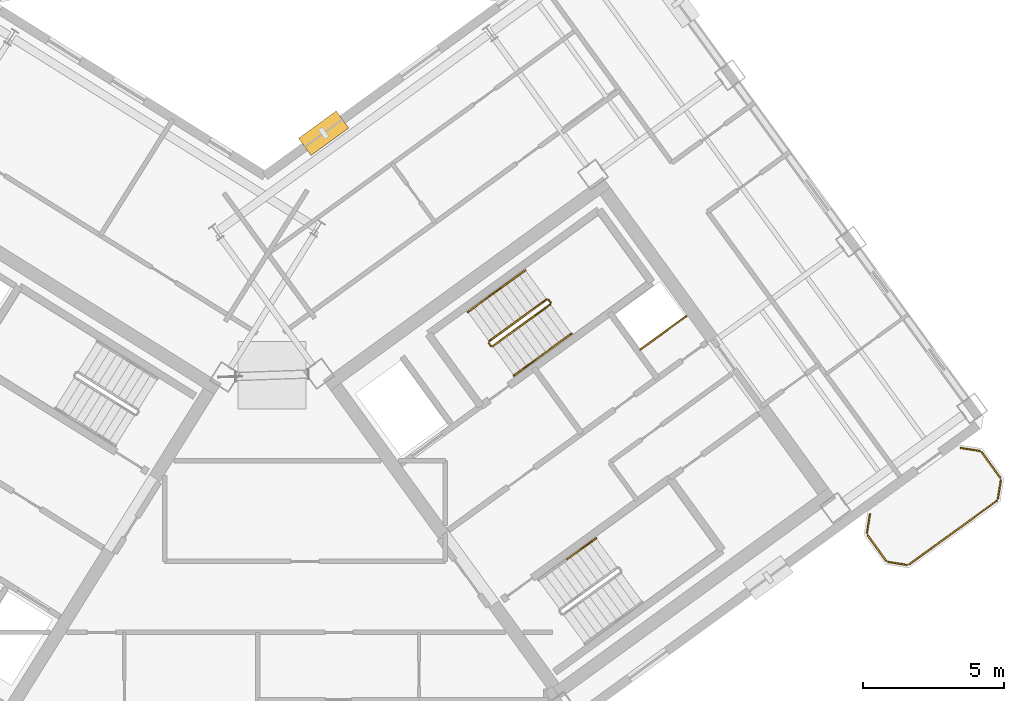
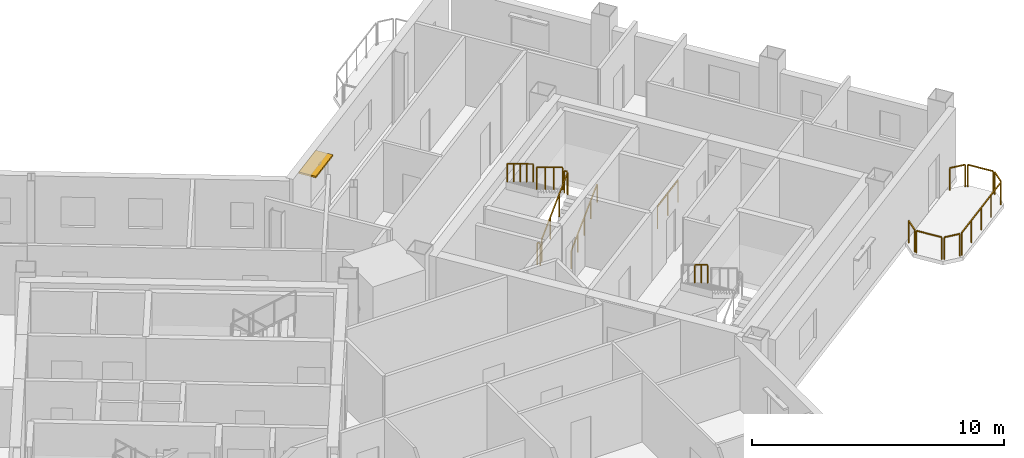
# One storey, part 22 of 23: 17 railings, 1 shading device.
"""IFC4 building model written with IfcOpenShell, lengths in metres."""

import ifcopenshell
import ifcopenshell.guid

model = None  # the IFC model being written
_history = None  # IfcOwnerHistory: only IFC2X3 demands one
_inside = {}  # id of a spatial element -> (the spatial element, [elements in it])
_under = {}  # id of a project, library or spatial element -> (it, [spatial elements below it])
_declared = {}  # id of a project -> (the project, [libraries it declares])
_typed = {}  # id of a type object -> (the type object, [elements of that type])
_made_of = {}  # id of a material, layer set ... -> (it, [elements and type objects made of it])


def new_model(schema):
    """Start an empty IFC model of exactly this schema.

    Asked for "IFC4X3", IfcOpenShell would pick the latest addendum, in which some entities
    have other attributes; the version numbers below select the first issue.
    IFC2X3 requires an IfcOwnerHistory on every rooted entity: one is made here for all.
    """
    global model, _history
    if schema == "IFC4X3":
        model = ifcopenshell.file(schema_version=(4, 3, 0, 0))
    else:
        model = ifcopenshell.file(schema=schema)
    _inside.clear()
    _under.clear()
    _declared.clear()
    _typed.clear()
    _made_of.clear()
    _history = None
    if model.schema == "IFC2X3":
        org = make("IfcOrganization", Name="unknown")
        user = make(
            "IfcPersonAndOrganization",
            ThePerson=make("IfcPerson", FamilyName="unknown"),
            TheOrganization=org,
        )
        app = make(
            "IfcApplication",
            ApplicationDeveloper=org,
            Version="unknown",
            ApplicationFullName="unknown",
            ApplicationIdentifier="unknown",
        )
        _history = make(
            "IfcOwnerHistory",
            OwningUser=user,
            OwningApplication=app,
            ChangeAction="ADDED",
            CreationDate=0,
        )
    return model


def make(cls, **values):
    """One entity of the class cls with the attributes given. An attribute that is None is left unset."""
    return model.create_entity(
        cls, **{name: value for name, value in values.items() if value is not None}
    )


def rooted(cls, **values):
    """An entity with a GlobalId (a new one), such as an element, a storey or a relation."""
    return make(cls, GlobalId=ifcopenshell.guid.new(), OwnerHistory=_history, **values)


def si_unit(unit_type, name, prefix=None):
    """IfcSIUnit, for example si_unit("LENGTHUNIT", "METRE", prefix="MILLI")."""
    return make("IfcSIUnit", UnitType=unit_type, Prefix=prefix, Name=name)


def assignment(units):
    """IfcUnitAssignment: the units of a project."""
    return None if units is None else make("IfcUnitAssignment", Units=units)


def point(xyz):
    """IfcCartesianPoint."""
    return None if xyz is None else make("IfcCartesianPoint", Coordinates=xyz)


def direction(xyz):
    """IfcDirection."""
    return None if xyz is None else make("IfcDirection", DirectionRatios=xyz)


def frame(location, z_axis=None, x_axis=None):
    """IfcAxis2Placement3D, a coordinate frame: its origin and axes. An axis left out is left unset."""
    return make(
        "IfcAxis2Placement3D",
        Location=point(location),
        Axis=direction(z_axis),
        RefDirection=direction(x_axis),
    )


def frame_2d(location, x_axis=None):
    """IfcAxis2Placement2D, a coordinate frame in the plane: its origin and x axis."""
    return make(
        "IfcAxis2Placement2D", Location=point(location), RefDirection=direction(x_axis)
    )


def origin():
    """The frame at (0, 0, 0) with its axes left unset."""
    return frame((0.0, 0.0, 0.0))


def origin_2d():
    """The frame at (0, 0) in the plane with its x axis left unset."""
    return frame_2d((0.0, 0.0))


def place(relative_to, where):
    """IfcLocalPlacement: puts the frame where relative to a parent placement (None: the world)."""
    return make(
        "IfcLocalPlacement", PlacementRelTo=relative_to, RelativePlacement=where
    )


def context(
    kind, dimensions, precision=None, world=None, true_north=None, identifier=None
):
    """IfcGeometricRepresentationContext, for example the 3D "Model" context."""
    return make(
        "IfcGeometricRepresentationContext",
        ContextIdentifier=identifier,
        ContextType=kind,
        CoordinateSpaceDimension=dimensions,
        Precision=precision,
        WorldCoordinateSystem=world,
        TrueNorth=true_north,
    )


def subcontext(parent, identifier, kind, view, scale=None):
    """IfcGeometricRepresentationSubContext, for example "Body" below "Model"."""
    return make(
        "IfcGeometricRepresentationSubContext",
        ContextIdentifier=identifier,
        ContextType=kind,
        ParentContext=parent,
        TargetScale=scale,
        TargetView=view,
    )


def project(units=None, contexts=None):
    """IfcProject with its units and contexts."""
    return rooted(
        "IfcProject",
        Name="project",
        RepresentationContexts=contexts,
        UnitsInContext=assignment(units),
    )


def spatial(cls, under=None, at=None, **own):
    """A site, building, storey or space (cls), placed at a placement, below another one or the project."""
    s = rooted(cls, ObjectPlacement=at, **own)
    if under is not None:
        _under.setdefault(under.id(), (under, []))[1].append(s)
    return s


def profile(cls, at=None, kind="AREA", **sizes):
    """A parametric profile (cls). Its sizes go by their IFC names, for example OverallWidth=200.0."""
    return make(cls, ProfileType=kind, Position=at, **sizes)


def rectangle(**sizes):
    """IfcRectangleProfileDef."""
    return profile("IfcRectangleProfileDef", **sizes)


def extrude(swept, where, along, depth):
    """IfcExtrudedAreaSolid: the profile swept, set in the frame where, extruded along a direction by depth."""
    return make(
        "IfcExtrudedAreaSolid",
        SweptArea=swept,
        Position=where,
        ExtrudedDirection=direction(along),
        Depth=depth,
    )


def shape(context_of_items, identifier, shape_type, items):
    """IfcShapeRepresentation: the items that make up one representation, for example the "Body"."""
    return make(
        "IfcShapeRepresentation",
        ContextOfItems=context_of_items,
        RepresentationIdentifier=identifier,
        RepresentationType=shape_type,
        Items=items,
    )


def source(mapping_origin, context_of_items, identifier, shape_type, items):
    """IfcRepresentationMap: a shape defined once, which mapped items show again and again."""
    return make(
        "IfcRepresentationMap",
        MappingOrigin=mapping_origin,
        MappedRepresentation=shape(context_of_items, identifier, shape_type, items),
    )


def transform(
    local_origin,
    x_axis=None,
    y_axis=None,
    z_axis=None,
    scale=None,
    scale2=None,
    scale3=None,
    uniform=True,
):
    """IfcCartesianTransformationOperator3D, or its non-uniform kind. x_axis, y_axis, z_axis: its Axis1, 2, 3."""
    if uniform:
        return make(
            "IfcCartesianTransformationOperator3D",
            Axis1=direction(x_axis),
            Axis2=direction(y_axis),
            LocalOrigin=point(local_origin),
            Scale=scale,
            Axis3=direction(z_axis),
        )
    return make(
        "IfcCartesianTransformationOperator3DnonUniform",
        Axis1=direction(x_axis),
        Axis2=direction(y_axis),
        LocalOrigin=point(local_origin),
        Scale=scale,
        Axis3=direction(z_axis),
        Scale2=scale2,
        Scale3=scale3,
    )


def mapped(mapping_source, mapping_target):
    """IfcMappedItem: shows the shape of a source again, moved by a transform."""
    return make(
        "IfcMappedItem", MappingSource=mapping_source, MappingTarget=mapping_target
    )


def material(Name=None, Category=None):
    """IfcMaterial."""
    return make("IfcMaterial", Name=Name, Category=Category)


def layer(
    of_material, thickness, ventilated=None, Name=None, Category=None, Priority=None
):
    """IfcMaterialLayer: one layer of a wall or slab, of a material (None: an air gap)."""
    return make(
        "IfcMaterialLayer",
        Material=of_material,
        LayerThickness=thickness,
        IsVentilated=ventilated,
        Name=Name,
        Category=Category,
        Priority=Priority,
    )


def layer_set(layers, Name=None):
    """IfcMaterialLayerSet."""
    return make("IfcMaterialLayerSet", MaterialLayers=layers, LayerSetName=Name)


def made_of(thing, what):
    """Note that an element or type object is made of a material, layer set ...; save() writes the relation."""
    if what is not None:
        _made_of.setdefault(what.id(), (what, []))[1].append(thing)
    return thing


def type_object(cls, material=None, **own):
    """A type object (cls), such as IfcWallType, which elements share."""
    return made_of(rooted(cls, **own), material)


def element(
    cls,
    number,
    at=None,
    inside=None,
    cuts=None,
    type_object=None,
    material=None,
    context=None,
    identifier="Body",
    shape_type=None,
    held_by="IfcProductDefinitionShape",
    body=None,
    shapes=None,
    **own,
):
    """One element of the class cls, such as IfcWall. Its Tag is "e" and its number.

    at: its placement. inside: the storey or other place that contains it. cuts: it is an
    opening in that element (IfcRelVoidsElement). A single representation is given by context,
    identifier, shape_type and body (its items); several are given by shapes. held_by: the class
    of the entity that holds the representations. save() writes the other relations.
    """
    e = rooted(cls, Tag="e%d" % number, ObjectPlacement=at, **own)
    if body is not None:
        shapes = [shape(context, identifier, shape_type, body)]
    if shapes is not None:
        e.Representation = make(held_by, Representations=shapes)
    if inside is not None:
        _inside.setdefault(inside.id(), (inside, []))[1].append(e)
    if cuts is not None:
        rooted(
            "IfcRelVoidsElement", RelatingBuildingElement=cuts, RelatedOpeningElement=e
        )
    if type_object is not None:
        _typed.setdefault(type_object.id(), (type_object, []))[1].append(e)
    return made_of(e, material)


def aggregate(whole, parts):
    """IfcRelAggregates: a whole, such as a stair, and the parts it consists of."""
    return rooted("IfcRelAggregates", RelatingObject=whole, RelatedObjects=parts)


def save(model, path):
    """Write the relations noted so far, then the file.

    IfcRelAggregates (storeys below a building ...), IfcRelContainedInSpatialStructure (elements
    in a storey), IfcRelDefinesByType, IfcRelAssociatesMaterial and IfcRelDeclares: one each for
    every whole, place, type object, material and project.
    """
    for whole, parts in _under.values():
        aggregate(whole, parts)
    for where, things in _inside.values():
        rooted(
            "IfcRelContainedInSpatialStructure",
            RelatedElements=things,
            RelatingStructure=where,
        )
    for kind, things in _typed.values():
        rooted("IfcRelDefinesByType", RelatedObjects=things, RelatingType=kind)
    for what, things in _made_of.values():
        rooted("IfcRelAssociatesMaterial", RelatedObjects=things, RelatingMaterial=what)
    for by, libraries in _declared.values():
        rooted("IfcRelDeclares", RelatingContext=by, RelatedDefinitions=libraries)
    model.write(path)


model = new_model("IFC4")

# Units and contexts
model_context = context("Model", 3, precision=1e-05, world=origin(), true_north=direction((0.0, 1.0)))
body_context = subcontext(model_context, "Body", "Model", "MODEL_VIEW")
ifc_project = project(units=[si_unit("LENGTHUNIT", "METRE"), si_unit("AREAUNIT", "SQUARE_METRE"), si_unit("VOLUMEUNIT", "CUBIC_METRE"), si_unit("PLANEANGLEUNIT", "RADIAN"), si_unit("MASSUNIT", "GRAM", prefix="KILO")], contexts=[model_context])

# Site, building, storey
site_placement = place(None, origin())
site = spatial("IfcSite", under=ifc_project, at=site_placement, CompositionType="ELEMENT")
building_placement = place(site_placement, origin())
building = spatial("IfcBuilding", under=site, at=building_placement, Name="Tlacorven Tower", CompositionType="ELEMENT")
storey_placement = place(building_placement, frame((0.0, 0.0, 218.39990234375)))
storey = spatial("IfcBuildingStorey", under=building, at=storey_placement, Name="L55", CompositionType="ELEMENT", Elevation=218.39990234375)

# Railings
ifc_material_1 = material(Name="Aluminium and painted steel balustrade", Category="steel")
railing_type_1 = type_object("IfcRailingType", Name="RL-GRD-1100", PredefinedType="GUARDRAIL", material=ifc_material_1)
shared_shape_1 = source(origin(), body_context, "Body", "SweptSolid", [
    extrude(rectangle(XDim=0.048095703125, YDim=0.048095703125, at=origin_2d()), frame((0.0, 0.0, 1.076171875), z_axis=(0.808947177504, 0.587881334972, 0.0), x_axis=(-0.587881334972, 0.808947177504, 0.0)), (0.0, 0.0, 1.0), 2.0),
    extrude(rectangle(XDim=0.0419921875, YDim=0.0419921875, at=origin_2d()), origin(), (0.0, 0.0, 1.0), 1.052001953125),
    extrude(rectangle(XDim=0.0419921875, YDim=0.0419921875, at=origin_2d()), frame((0.80908203125, 0.587890625, 0.0)), (0.0, 0.0, 1.0), 1.052001953125),
    extrude(rectangle(XDim=0.0419921875, YDim=0.0419921875, at=origin_2d()), frame((1.617919921875, 1.17578125, 0.0)), (0.0, 0.0, 1.0), 1.052001953125),
])
railing_1_placement = place(storey_placement, frame((55.506103515625, 25.438232421875, 0.0)))
element("IfcRailing", 1, at=railing_1_placement, inside=storey, type_object=railing_type_1, Name="L55 Electrical Riser E Shaft Guard 1", PredefinedType="GUARDRAIL", context=body_context, shape_type="MappedRepresentation", body=[
    mapped(shared_shape_1, transform((0.0, 0.0, 0.0), scale=1.0)),
])
railing_type_2 = type_object("IfcRailingType", Name="RL-BAL-1100", PredefinedType="BALUSTRADE", material=ifc_material_1)
shared_shape_2 = source(origin(), body_context, "Body", "SweptSolid", [
    extrude(rectangle(XDim=0.048095703125, YDim=0.048095703125, at=origin_2d()), frame((0.0, 0.0, 1.076171875), z_axis=(0.156602868908, 0.987661653326, 0.0), x_axis=(-0.987661653326, 0.156602868908, 0.0)), (0.0, 0.0, 1.0), 0.665771484375),
    extrude(rectangle(XDim=0.0419921875, YDim=0.0419921875, at=origin_2d()), origin(), (0.0, 0.0, 1.0), 1.052001953125),
    extrude(rectangle(XDim=0.0419921875, YDim=0.0419921875, at=origin_2d()), frame((0.104248046875, 0.657470703125, 0.0)), (0.0, 0.0, 1.0), 1.052001953125),
])
railing_2_placement = place(storey_placement, frame((63.539306640625, 18.949951171875, 0.0)))
element("IfcRailing", 2, at=railing_2_placement, inside=storey, type_object=railing_type_2, Name="BAL-L55-E-OUT Guard Railing 3", PredefinedType="BALUSTRADE", context=body_context, shape_type="MappedRepresentation", body=[
    mapped(shared_shape_2, transform((0.0, 0.0, 0.0), scale=1.0)),
])
shared_shape_3 = source(origin(), body_context, "Body", "SweptSolid", [
    extrude(rectangle(XDim=0.048095703125, YDim=0.048095703125, at=origin_2d()), frame((0.0, 0.0, 1.076171875), z_axis=(0.58788449985, -0.808944877501, 0.0), x_axis=(0.808944877501, 0.58788449985, 0.0)), (0.0, 0.0, 1.0), 1.112060546875),
    extrude(rectangle(XDim=0.0419921875, YDim=0.0419921875, at=origin_2d()), origin(), (0.0, 0.0, 1.0), 1.052001953125),
    extrude(rectangle(XDim=0.0419921875, YDim=0.0419921875, at=origin_2d()), frame((0.65380859375, -0.899658203125, 0.0)), (0.0, 0.0, 1.0), 1.052001953125),
])
railing_3_placement = place(storey_placement, frame((67.60595703125, 21.799072265625, 0.0)))
element("IfcRailing", 3, at=railing_3_placement, inside=storey, type_object=railing_type_2, Name="BAL-L55-E-OUT Guard Railing 5", PredefinedType="BALUSTRADE", context=body_context, shape_type="MappedRepresentation", body=[
    mapped(shared_shape_3, transform((0.0, 0.0, 0.0), scale=1.0)),
])
shared_shape_4 = source(origin(), body_context, "Body", "SweptSolid", [
    extrude(rectangle(XDim=0.048095703125, YDim=0.048095703125, at=origin_2d()), frame((0.0, 0.0, 1.076171875), z_axis=(-0.809018102573, -0.587783726986, 0.0), x_axis=(0.587783726986, -0.809018102573, 0.0)), (0.0, 0.0, 1.0), 3.817138671875),
    extrude(rectangle(XDim=0.0419921875, YDim=0.0419921875, at=origin_2d()), origin(), (0.0, 0.0, 1.0), 1.052001953125),
    extrude(rectangle(XDim=0.0419921875, YDim=0.0419921875, at=origin_2d()), frame((-0.77197265625, -0.56103515625, 0.0)), (0.0, 0.0, 1.0), 1.052001953125),
    extrude(rectangle(XDim=0.0419921875, YDim=0.0419921875, at=origin_2d()), frame((-1.5439453125, -1.121826171875, 0.0)), (0.0, 0.0, 1.0), 1.052001953125),
    extrude(rectangle(XDim=0.0419921875, YDim=0.0419921875, at=origin_2d()), frame((-2.316162109375, -1.6826171875, 0.0)), (0.0, 0.0, 1.0), 1.052001953125),
    extrude(rectangle(XDim=0.0419921875, YDim=0.0419921875, at=origin_2d()), frame((-3.088134765625, -2.24365234375, 0.0)), (0.0, 0.0, 1.0), 1.052001953125),
])
railing_4_placement = place(storey_placement, frame((68.12890625, 20.0732421875, 0.0)))
element("IfcRailing", 4, at=railing_4_placement, inside=storey, type_object=railing_type_2, Name="BAL-L55-E-OUT Guard Railing 7", PredefinedType="BALUSTRADE", context=body_context, shape_type="MappedRepresentation", body=[
    mapped(shared_shape_4, transform((0.0, 0.0, 0.0), scale=1.0)),
])
shared_shape_5 = source(origin(), body_context, "Body", "SweptSolid", [
    extrude(rectangle(XDim=0.048095703125, YDim=0.048095703125, at=origin_2d()), frame((0.0, 0.0, 1.076171875), z_axis=(-0.987718317463, 0.156245081039, 0.0), x_axis=(-0.156245081039, -0.987718317463, 0.0)), (0.0, 0.0, 1.0), 0.66552734375),
    extrude(rectangle(XDim=0.0419921875, YDim=0.0419921875, at=origin_2d()), origin(), (0.0, 0.0, 1.0), 1.052001953125),
    extrude(rectangle(XDim=0.0419921875, YDim=0.0419921875, at=origin_2d()), frame((-0.657470703125, 0.10400390625, 0.0)), (0.0, 0.0, 1.0), 1.052001953125),
])
railing_5_placement = place(storey_placement, frame((64.950927734375, 17.80810546875, 0.0)))
element("IfcRailing", 5, at=railing_5_placement, inside=storey, type_object=railing_type_2, Name="BAL-L55-E-OUT Guard Railing 1", PredefinedType="BALUSTRADE", context=body_context, shape_type="MappedRepresentation", body=[
    mapped(shared_shape_5, transform((0.0, 0.0, 0.0), scale=1.0)),
])
shared_shape_6 = source(origin(), body_context, "Body", "SweptSolid", [
    extrude(rectangle(XDim=0.048095703125, YDim=0.048095703125, at=origin_2d()), frame((0.0, 0.0, 1.076171875), z_axis=(-0.587740817519, 0.809049276263, 0.0), x_axis=(-0.809049276263, -0.587740817519, 0.0)), (0.0, 0.0, 1.0), 1.112060546875),
    extrude(rectangle(XDim=0.0419921875, YDim=0.0419921875, at=origin_2d()), origin(), (0.0, 0.0, 1.0), 1.052001953125),
    extrude(rectangle(XDim=0.0419921875, YDim=0.0419921875, at=origin_2d()), frame((-0.653564453125, 0.899658203125, 0.0)), (0.0, 0.0, 1.0), 1.052001953125),
])
railing_6_placement = place(storey_placement, frame((64.214599609375, 17.96044921875, 0.0)))
element("IfcRailing", 6, at=railing_6_placement, inside=storey, type_object=railing_type_2, Name="BAL-L55-E-OUT Guard Railing 2", PredefinedType="BALUSTRADE", context=body_context, shape_type="MappedRepresentation", body=[
    mapped(shared_shape_6, transform((0.0, 0.0, 0.0), scale=1.0)),
])
shared_shape_7 = source(origin(), body_context, "Body", "SweptSolid", [
    extrude(rectangle(XDim=0.048095703125, YDim=0.048095703125, at=origin_2d()), frame((0.0, 0.0, 1.076171875), z_axis=(-0.156245081039, -0.987718317463, 0.0), x_axis=(0.987718317463, -0.156245081039, 0.0)), (0.0, 0.0, 1.0), 0.66552734375),
    extrude(rectangle(XDim=0.0419921875, YDim=0.0419921875, at=origin_2d()), origin(), (0.0, 0.0, 1.0), 1.052001953125),
    extrude(rectangle(XDim=0.0419921875, YDim=0.0419921875, at=origin_2d()), frame((-0.10400390625, -0.657470703125, 0.0)), (0.0, 0.0, 1.0), 1.052001953125),
])
railing_7_placement = place(storey_placement, frame((68.28125, 20.8095703125, 0.0)))
element("IfcRailing", 7, at=railing_7_placement, inside=storey, type_object=railing_type_2, Name="BAL-L55-E-OUT Guard Railing 6", PredefinedType="BALUSTRADE", context=body_context, shape_type="MappedRepresentation", body=[
    mapped(shared_shape_7, transform((0.0, 0.0, 0.0), scale=1.0)),
])
shared_shape_8 = source(origin(), body_context, "Body", "SweptSolid", [
    extrude(rectangle(XDim=0.048095703125, YDim=0.048095703125, at=origin_2d()), frame((0.0, 0.0, 1.076171875), z_axis=(0.987727266442, -0.156188498702, 0.0), x_axis=(0.156188498702, 0.987727266442, 0.0)), (0.0, 0.0, 1.0), 0.665771484375),
    extrude(rectangle(XDim=0.0419921875, YDim=0.0419921875, at=origin_2d()), origin(), (0.0, 0.0, 1.0), 1.052001953125),
    extrude(rectangle(XDim=0.0419921875, YDim=0.0419921875, at=origin_2d()), frame((0.65771484375, -0.10400390625, 0.0)), (0.0, 0.0, 1.0), 1.052001953125),
])
railing_8_placement = place(storey_placement, frame((66.86962890625, 21.951416015625, 0.0)))
element("IfcRailing", 8, at=railing_8_placement, inside=storey, type_object=railing_type_2, Name="BAL-L55-E-OUT Guard Railing 4", PredefinedType="BALUSTRADE", context=body_context, shape_type="MappedRepresentation", body=[
    mapped(shared_shape_8, transform((0.0, 0.0, 0.0), scale=1.0)),
])

# Shading device
ifc_material_2 = material(Name="Anodised bronze aluminium sunshade", Category="aluminium")
ifc_layer = layer(ifc_material_2, 0.080078125)
ifc_layer_set = layer_set([ifc_layer], Name="Anodised bronze aluminium sunshade")
shading_device_type = type_object("IfcShadingDeviceType", Name="SH-SUN-BRZ", PredefinedType="AWNING", material=ifc_layer_set)
shared_shape_9 = source(origin(), body_context, "Body", "SweptSolid", [
    extrude(rectangle(XDim=1.64990234375, YDim=0.75, at=origin_2d()), origin(), (0.0, 0.0, 1.0), 0.080078125),
])
shading_device_placement = place(storey_placement, frame((44.28564453125, 33.10791015625, 2.3701171875), z_axis=(0.0, 0.0, 1.0), x_axis=(0.809016703631, 0.587785652468, 0.0)))
element("IfcShadingDevice", 9, at=shading_device_placement, inside=storey, type_object=shading_device_type, Name="L55 Solar Brise-Soleil Sunshade L55-04.1", PredefinedType="AWNING", context=body_context, shape_type="MappedRepresentation", body=[
    mapped(shared_shape_9, transform((0.0, 0.0, 0.0), scale=1.0)),
])

# Railings
shared_shape_10 = source(origin(), body_context, "Body", "SweptSolid", [
    extrude(rectangle(XDim=0.048095703125, YDim=0.048095703125, at=origin_2d()), frame((0.0, 0.0, 1.076171875), z_axis=(-0.587201422542, 0.809440849824, 0.0), x_axis=(-0.809440849824, -0.587201422542, 0.0)), (0.0, 0.0, 1.0), 0.11962890625),
    extrude(rectangle(XDim=0.0419921875, YDim=0.0419921875, at=origin_2d()), origin(), (0.0, 0.0, 1.0), 1.052001953125),
    extrude(rectangle(XDim=0.0419921875, YDim=0.0419921875, at=origin_2d()), frame((-0.0703125, 0.096923828125, 0.0)), (0.0, 0.0, 1.0), 1.052001953125),
])
for number, where, name in (
    (10, (52.326904296875, 27.10888671875, 1.800048828125), "L55 ST-E1 stair guard 2"),
    (11, (50.207275390625, 25.56884765625, 0.0), "L55 ST-E1 stair guard 4"),
):
    element("IfcRailing", number, at=place(storey_placement, frame(where)), inside=storey, type_object=railing_type_1, Name=name, PredefinedType="GUARDRAIL", context=body_context, shape_type="MappedRepresentation", body=[
        mapped(shared_shape_10, transform((0.0, 0.0, 0.0), scale=1.0)),
    ])
shared_shape_11 = source(origin(), body_context, "Body", "SweptSolid", [
    extrude(rectangle(XDim=0.048095703125, YDim=0.048095703125, at=origin_2d()), frame((0.0, 0.0, 1.076171875), z_axis=(-0.680488636597, -0.494434078831, 0.540805100894), x_axis=(0.5878087079, -0.808999952359, 0.0)), (0.0, 0.0, 1.0), 2.995849609375),
    extrude(rectangle(XDim=0.0419921875, YDim=0.0419921875, at=origin_2d()), origin(), (0.0, 0.0, 1.0), 1.052001953125),
    extrude(rectangle(XDim=0.0419921875, YDim=0.0419921875, at=origin_2d()), frame((-0.679443359375, -0.49365234375, 0.5400390625)), (0.0, 0.0, 1.0), 1.052001953125),
    extrude(rectangle(XDim=0.0419921875, YDim=0.0419921875, at=origin_2d()), frame((-1.359130859375, -0.987548828125, 1.080078125)), (0.0, 0.0, 1.0), 1.052001953125),
    extrude(rectangle(XDim=0.0419921875, YDim=0.0419921875, at=origin_2d()), frame((-2.03857421875, -1.481201171875, 1.6201171875)), (0.0, 0.0, 1.0), 1.052001953125),
])
railing_9_placement = place(storey_placement, frame((52.1865234375, 27.217041015625, 1.97998046875)))
element("IfcRailing", 12, at=railing_9_placement, inside=storey, type_object=railing_type_1, Name="L55 ST-E1 stair guard 3", PredefinedType="GUARDRAIL", context=body_context, shape_type="MappedRepresentation", body=[
    mapped(shared_shape_11, transform((0.0, 0.0, 0.0), scale=1.0)),
])
railing_type_3 = type_object("IfcRailingType", Name="RL-HND-0900", PredefinedType="HANDRAIL", material=ifc_material_1)
shared_shape_12 = source(origin(), body_context, "Body", "SweptSolid", [
    extrude(rectangle(XDim=0.048095703125, YDim=0.048095703125, at=origin_2d()), frame((0.0, 0.0, 0.8759765625), z_axis=(0.680548719995, 0.49444080854, 0.540723336433), x_axis=(-0.587779977844, 0.80902082646, 0.0)), (0.0, 0.0, 1.0), 1.498046875),
    extrude(rectangle(XDim=0.0419921875, YDim=0.0419921875, at=origin_2d()), origin(), (0.0, 0.0, 1.0), 0.851806640625),
    extrude(rectangle(XDim=0.0419921875, YDim=0.0419921875, at=origin_2d()), frame((0.509765625, 0.370361328125, 0.405029296875)), (0.0, 0.0, 1.0), 0.851806640625),
    extrude(rectangle(XDim=0.0419921875, YDim=0.0419921875, at=origin_2d()), frame((1.01953125, 0.74072265625, 0.81005859375)), (0.0, 0.0, 1.0), 0.851806640625),
])
railing_10_placement = place(storey_placement, frame((52.048828125, 25.2626953125, 0.989990234375)))
element("IfcRailing", 13, at=railing_10_placement, inside=storey, type_object=railing_type_3, Name="L55 ST-E1 stair handrail 2", PredefinedType="HANDRAIL", context=body_context, shape_type="MappedRepresentation", body=[
    mapped(shared_shape_12, transform((0.0, 0.0, 0.0), scale=1.0)),
])
shared_shape_13 = source(origin(), body_context, "Body", "SweptSolid", [
    extrude(rectangle(XDim=0.048095703125, YDim=0.048095703125, at=origin_2d()), frame((0.0, 0.0, 0.8759765625), z_axis=(-0.680603554404, -0.494317667746, 0.540766904577), x_axis=(0.587653156371, -0.809112951205, 0.0)), (0.0, 0.0, 1.0), 1.498046875),
    extrude(rectangle(XDim=0.0419921875, YDim=0.0419921875, at=origin_2d()), origin(), (0.0, 0.0, 1.0), 0.851806640625),
    extrude(rectangle(XDim=0.0419921875, YDim=0.0419921875, at=origin_2d()), frame((-0.509765625, -0.3701171875, 0.405029296875)), (0.0, 0.0, 1.0), 0.851806640625),
    extrude(rectangle(XDim=0.0419921875, YDim=0.0419921875, at=origin_2d()), frame((-1.01953125, -0.740478515625, 0.81005859375)), (0.0, 0.0, 1.0), 0.851806640625),
])
railing_11_placement = place(storey_placement, frame((51.434326171875, 28.25244140625, 1.97998046875)))
element("IfcRailing", 14, at=railing_11_placement, inside=storey, type_object=railing_type_3, Name="L55 ST-E1 stair handrail 3", PredefinedType="HANDRAIL", context=body_context, shape_type="MappedRepresentation", body=[
    mapped(shared_shape_13, transform((0.0, 0.0, 0.0), scale=1.0)),
])
shared_shape_14 = source(origin(), body_context, "Body", "SweptSolid", [
    extrude(rectangle(XDim=0.048095703125, YDim=0.048095703125, at=origin_2d()), frame((0.0, 0.0, 0.8759765625), z_axis=(-0.680461216233, -0.494495647917, 0.540783309093), x_axis=(0.587872112667, -0.808953879494, 0.0)), (0.0, 0.0, 1.0), 1.498046875),
    extrude(rectangle(XDim=0.0419921875, YDim=0.0419921875, at=origin_2d()), origin(), (0.0, 0.0, 1.0), 0.851806640625),
    extrude(rectangle(XDim=0.0419921875, YDim=0.0419921875, at=origin_2d()), frame((-0.509765625, -0.370361328125, 0.405029296875)), (0.0, 0.0, 1.0), 0.851806640625),
    extrude(rectangle(XDim=0.0419921875, YDim=0.0419921875, at=origin_2d()), frame((-1.019287109375, -0.74072265625, 0.81005859375)), (0.0, 0.0, 1.0), 0.851806640625),
])
railing_12_placement = place(storey_placement, frame((50.414794921875, 27.511962890625, 2.7900390625)))
element("IfcRailing", 15, at=railing_12_placement, inside=storey, type_object=railing_type_3, Name="L55 ST-E1 stair handrail 4", PredefinedType="HANDRAIL", context=body_context, shape_type="MappedRepresentation", body=[
    mapped(shared_shape_14, transform((0.0, 0.0, 0.0), scale=1.0)),
])
shared_shape_15 = source(origin(), body_context, "Body", "SweptSolid", [
    extrude(rectangle(XDim=0.048095703125, YDim=0.048095703125, at=origin_2d()), frame((0.0, 0.0, 1.076171875), z_axis=(0.680518627673, 0.494455869951, 0.540747436481), x_axis=(-0.5878087079, 0.808999952359, 0.0)), (0.0, 0.0, 1.0), 2.99560546875),
    extrude(rectangle(XDim=0.0419921875, YDim=0.0419921875, at=origin_2d()), origin(), (0.0, 0.0, 1.0), 1.052001953125),
    extrude(rectangle(XDim=0.0419921875, YDim=0.0419921875, at=origin_2d()), frame((0.679443359375, 0.49365234375, 0.5400390625)), (0.0, 0.0, 1.0), 1.052001953125),
    extrude(rectangle(XDim=0.0419921875, YDim=0.0419921875, at=origin_2d()), frame((1.359130859375, 0.987548828125, 1.079833984375)), (0.0, 0.0, 1.0), 1.052001953125),
    extrude(rectangle(XDim=0.0419921875, YDim=0.0419921875, at=origin_2d()), frame((2.03857421875, 1.481201171875, 1.619873046875)), (0.0, 0.0, 1.0), 1.052001953125),
])
railing_13_placement = place(storey_placement, frame((50.27734375, 25.557861328125, 0.18017578125)))
element("IfcRailing", 16, at=railing_13_placement, inside=storey, type_object=railing_type_1, Name="L55 ST-E1 stair guard 1", PredefinedType="GUARDRAIL", context=body_context, shape_type="MappedRepresentation", body=[
    mapped(shared_shape_15, transform((0.0, 0.0, 0.0), scale=1.0)),
])
shared_shape_16 = source(origin(), body_context, "Body", "SweptSolid", [
    extrude(rectangle(XDim=0.048095703125, YDim=0.048095703125, at=origin_2d()), frame((0.0, 0.0, 0.8759765625), z_axis=(0.680576044605, 0.494416082224, 0.54071155448), x_axis=(-0.587745292299, 0.809046025502, 0.0)), (0.0, 0.0, 1.0), 1.497802734375),
    extrude(rectangle(XDim=0.0419921875, YDim=0.0419921875, at=origin_2d()), origin(), (0.0, 0.0, 1.0), 0.851806640625),
    extrude(rectangle(XDim=0.0419921875, YDim=0.0419921875, at=origin_2d()), frame((0.509765625, 0.3701171875, 0.40478515625)), (0.0, 0.0, 1.0), 0.851806640625),
    extrude(rectangle(XDim=0.0419921875, YDim=0.0419921875, at=origin_2d()), frame((1.019287109375, 0.740478515625, 0.809814453125)), (0.0, 0.0, 1.0), 0.851806640625),
])
railing_14_placement = place(storey_placement, frame((51.029541015625, 24.522216796875, 0.18017578125)))
element("IfcRailing", 17, at=railing_14_placement, inside=storey, type_object=railing_type_3, Name="L55 ST-E1 stair handrail 1", PredefinedType="HANDRAIL", context=body_context, shape_type="MappedRepresentation", body=[
    mapped(shared_shape_16, transform((0.0, 0.0, 0.0), scale=1.0)),
])
shared_shape_17 = source(origin(), body_context, "Body", "SweptSolid", [
    extrude(rectangle(XDim=0.048095703125, YDim=0.048095703125, at=origin_2d()), frame((0.0, 0.0, 0.8759765625), z_axis=(-0.680516055757, -0.494372502302, 0.540826891737), x_axis=(0.587745292299, -0.809046025502, 0.0)), (0.0, 0.0, 1.0), 1.497802734375),
    extrude(rectangle(XDim=0.0419921875, YDim=0.0419921875, at=origin_2d()), origin(), (0.0, 0.0, 1.0), 0.851806640625),
    extrude(rectangle(XDim=0.0419921875, YDim=0.0419921875, at=origin_2d()), frame((-0.509765625, -0.3701171875, 0.405029296875)), (0.0, 0.0, 1.0), 0.851806640625),
    extrude(rectangle(XDim=0.0419921875, YDim=0.0419921875, at=origin_2d()), frame((-1.019287109375, -0.740478515625, 0.81005859375)), (0.0, 0.0, 1.0), 0.851806640625),
])
railing_15_placement = place(storey_placement, frame((53.938232421875, 18.749267578125, 1.97998046875)))
element("IfcRailing", 18, at=railing_15_placement, inside=storey, type_object=railing_type_3, Name="L55 ST-E2 stair handrail 3", PredefinedType="HANDRAIL", context=body_context, shape_type="MappedRepresentation", body=[
    mapped(shared_shape_17, transform((0.0, 0.0, 0.0), scale=1.0)),
])

save(model, "model.ifc")
